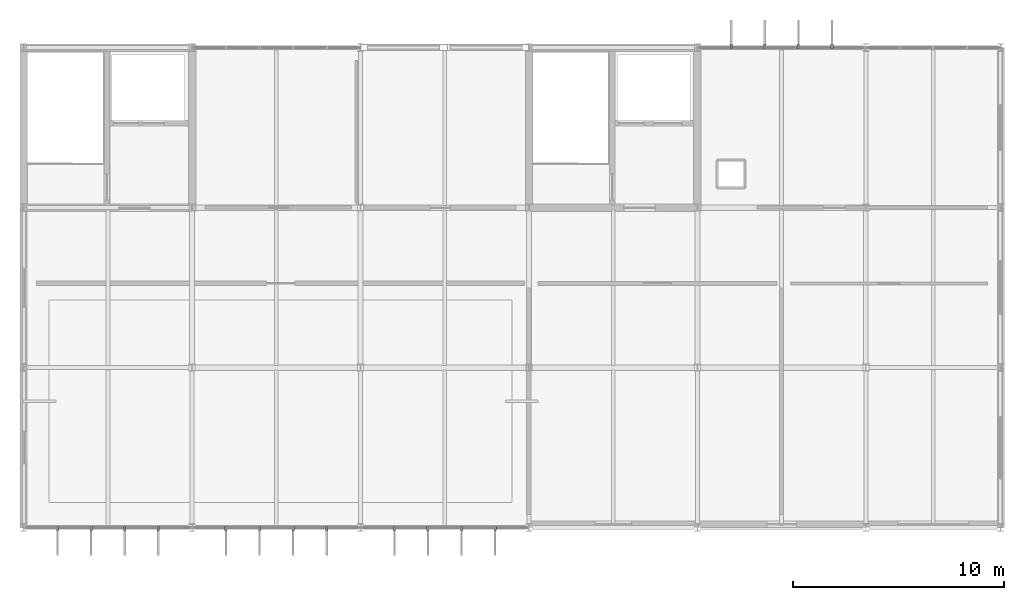
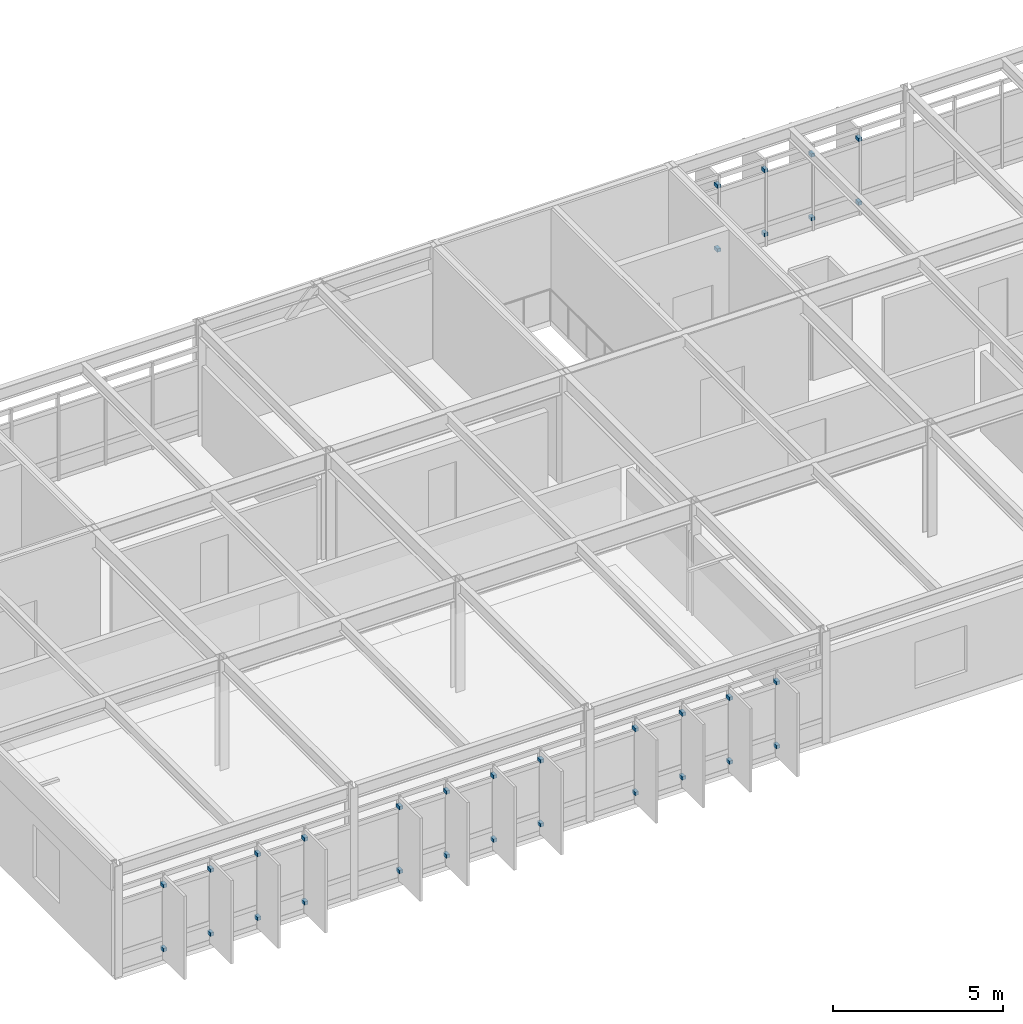
# One storey, part 16 of 17: 32 discrete accessories.
"""IFC4 building model written with IfcOpenShell, lengths in metres."""

from ifc_helpers import new_model, si_unit, direction, frame, origin, origin_2d, place, context, subcontext, project, spatial, rectangle, extrude, material, layer, layer_set, type_object, element, save


model = new_model("IFC4")

# Units and contexts
model_context = context("Model", 3, precision=1e-05, world=origin(), true_north=direction((0.0, 1.0)))
body_context = subcontext(model_context, "Body", "Model", "MODEL_VIEW")
ifc_project = project(units=[si_unit("LENGTHUNIT", "METRE"), si_unit("AREAUNIT", "SQUARE_METRE"), si_unit("VOLUMEUNIT", "CUBIC_METRE"), si_unit("PLANEANGLEUNIT", "RADIAN"), si_unit("MASSUNIT", "GRAM", prefix="KILO")], contexts=[model_context])

# Site, building, storey
site_placement = place(None, origin())
site = spatial("IfcSite", under=ifc_project, at=site_placement, CompositionType="ELEMENT")
building_placement = place(site_placement, origin())
building = spatial("IfcBuilding", under=site, at=building_placement, Name="Zulena Civic Courthouse", CompositionType="ELEMENT")
storey_placement = place(building_placement, frame((0.0, 0.0, 42.0)))
storey = spatial("IfcBuildingStorey", under=building, at=storey_placement, Name="L09", CompositionType="ELEMENT", Elevation=42.0)

# Discrete accessories
ifc_material = material(Name="Gold anodised architectural aluminium AA6063-T6", Category="aluminium")
ifc_layer = layer(ifc_material, 0.1201171875)
ifc_layer_set = layer_set([ifc_layer], Name="Gold anodised architectural aluminium AA6063-T6")
discrete_accessory_type = type_object("IfcDiscreteAccessoryType", Name="FinOutriggerBracket", PredefinedType="BRACKET", material=ifc_layer_set)
for number, where, z_axis, x_axis, name in (
    (1, (53.607177734375, 22.844970703125, 0.33984375), (0.0, 0.0, 1.0), (0.0, 1.0, 0.0), "brk:V2:L09:1:4:1:42.40"),
    (2, (53.607177734375, 22.844970703125, 2.6298828125), (0.0, 0.0, 1.0), (0.0, 1.0, 0.0), "brk:V2:L09:1:4:1:44.69"),
    (3, (55.202392578125, 22.844970703125, 0.33984375), (0.0, 0.0, 1.0), (0.0, 1.0, 0.0), "brk:V2:L09:1:4:2:42.40"),
    (4, (55.202392578125, 22.844970703125, 2.6298828125), (0.0, 0.0, 1.0), (0.0, 1.0, 0.0), "brk:V2:L09:1:4:2:44.69"),
    (5, (56.797607421875, 22.844970703125, 0.33984375), (0.0, 0.0, 1.0), (0.0, 1.0, 0.0), "brk:V2:L09:1:4:3:42.40"),
    (6, (56.797607421875, 22.844970703125, 2.6298828125), (0.0, 0.0, 1.0), (0.0, 1.0, 0.0), "brk:V2:L09:1:4:3:44.69"),
    (7, (58.392822265625, 22.844970703125, 0.33984375), (0.0, 0.0, 1.0), (0.0, 1.0, 0.0), "brk:V2:L09:1:4:4:42.40"),
    (8, (58.392822265625, 22.844970703125, 2.6298828125), (0.0, 0.0, 1.0), (0.0, 1.0, 0.0), "brk:V2:L09:1:4:4:44.69"),
    (9, (42.392822265625, -0.044921875, 0.33984375), (0.0, 0.0, 1.0), (0.0, -1.0, 0.0), "brk:V2:L09:3:3:1:42.40"),
    (10, (42.392822265625, -0.044921875, 2.6298828125), (0.0, 0.0, 1.0), (0.0, -1.0, 0.0), "brk:V2:L09:3:3:1:44.69"),
    (11, (40.797607421875, -0.044921875, 0.33984375), (0.0, 0.0, 1.0), (0.0, -1.0, 0.0), "brk:V2:L09:3:3:2:42.40"),
    (12, (40.797607421875, -0.044921875, 2.6298828125), (0.0, 0.0, 1.0), (0.0, -1.0, 0.0), "brk:V2:L09:3:3:2:44.69"),
    (13, (39.202392578125, -0.044921875, 0.33984375), (0.0, 0.0, 1.0), (0.0, -1.0, 0.0), "brk:V2:L09:3:3:3:42.40"),
    (14, (39.202392578125, -0.044921875, 2.6298828125), (0.0, 0.0, 1.0), (0.0, -1.0, 0.0), "brk:V2:L09:3:3:3:44.69"),
    (15, (37.607177734375, -0.044921875, 0.33984375), (0.0, 0.0, 1.0), (0.0, -1.0, 0.0), "brk:V2:L09:3:3:4:42.40"),
    (16, (37.607177734375, -0.044921875, 2.6298828125), (0.0, 0.0, 1.0), (0.0, -1.0, 0.0), "brk:V2:L09:3:3:4:44.69"),
    (17, (34.392822265625, -0.044921875, 0.33984375), (0.0, 0.0, 1.0), (0.0, -1.0, 0.0), "brk:V2:L09:3:4:1:42.40"),
    (18, (34.392822265625, -0.044921875, 2.6298828125), (0.0, 0.0, 1.0), (0.0, -1.0, 0.0), "brk:V2:L09:3:4:1:44.69"),
    (19, (32.797607421875, -0.044921875, 0.33984375), (0.0, 0.0, 1.0), (0.0, -1.0, 0.0), "brk:V2:L09:3:4:2:42.40"),
    (20, (32.797607421875, -0.044921875, 2.6298828125), (0.0, 0.0, 1.0), (0.0, -1.0, 0.0), "brk:V2:L09:3:4:2:44.69"),
    (21, (31.202392578125, -0.044921875, 0.33984375), (0.0, 0.0, 1.0), (0.0, -1.0, 0.0), "brk:V2:L09:3:4:3:42.40"),
    (22, (31.202392578125, -0.044921875, 2.6298828125), (0.0, 0.0, 1.0), (0.0, -1.0, 0.0), "brk:V2:L09:3:4:3:44.69"),
    (23, (29.607177734375, -0.044921875, 0.33984375), (0.0, 0.0, 1.0), (0.0, -1.0, 0.0), "brk:V2:L09:3:4:4:42.40"),
    (24, (29.607177734375, -0.044921875, 2.6298828125), (0.0, 0.0, 1.0), (0.0, -1.0, 0.0), "brk:V2:L09:3:4:4:44.69"),
    (25, (26.392822265625, -0.044921875, 0.33984375), (0.0, 0.0, 1.0), (0.0, -1.0, 0.0), "brk:V2:L09:3:5:1:42.40"),
    (26, (26.392822265625, -0.044921875, 2.6298828125), (0.0, 0.0, 1.0), (0.0, -1.0, 0.0), "brk:V2:L09:3:5:1:44.69"),
    (27, (24.797607421875, -0.044921875, 0.33984375), (0.0, 0.0, 1.0), (0.0, -1.0, 0.0), "brk:V2:L09:3:5:2:42.40"),
    (28, (24.797607421875, -0.044921875, 2.6298828125), (0.0, 0.0, 1.0), (0.0, -1.0, 0.0), "brk:V2:L09:3:5:2:44.69"),
    (29, (23.202392578125, -0.044921875, 0.33984375), (0.0, 0.0, 1.0), (0.0, -1.0, 0.0), "brk:V2:L09:3:5:3:42.40"),
    (30, (23.202392578125, -0.044921875, 2.6298828125), (0.0, 0.0, 1.0), (0.0, -1.0, 0.0), "brk:V2:L09:3:5:3:44.69"),
    (31, (21.607177734375, -0.044921875, 0.33984375), (0.0, 0.0, 1.0), (0.0, -1.0, 0.0), "brk:V2:L09:3:5:4:42.40"),
    (32, (21.607177734375, -0.044921875, 2.6298828125), (0.0, 0.0, 1.0), (0.0, -1.0, 0.0), "brk:V2:L09:3:5:4:44.69"),
):
    element("IfcDiscreteAccessory", number, at=place(storey_placement, frame(where, z_axis=z_axis, x_axis=x_axis)), inside=storey, type_object=discrete_accessory_type, Name=name, PredefinedType="BRACKET", context=body_context, shape_type="SweptSolid", body=[
        extrude(rectangle(XDim=0.179931640625, YDim=0.1201171875, at=origin_2d()), origin(), (0.0, 0.0, 1.0), 0.1201171875),
    ])

save(model, "model.ifc")
